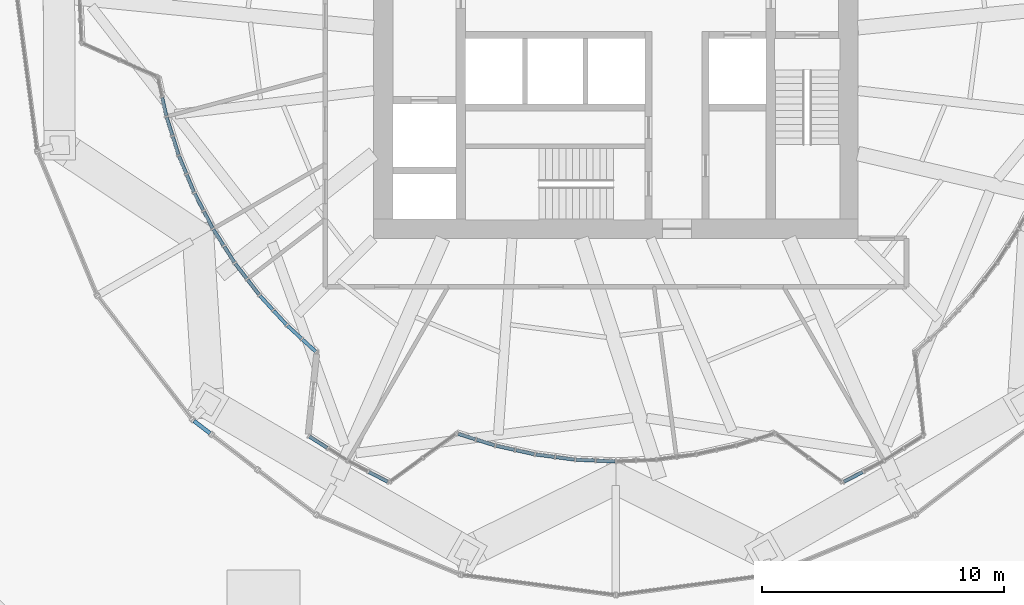
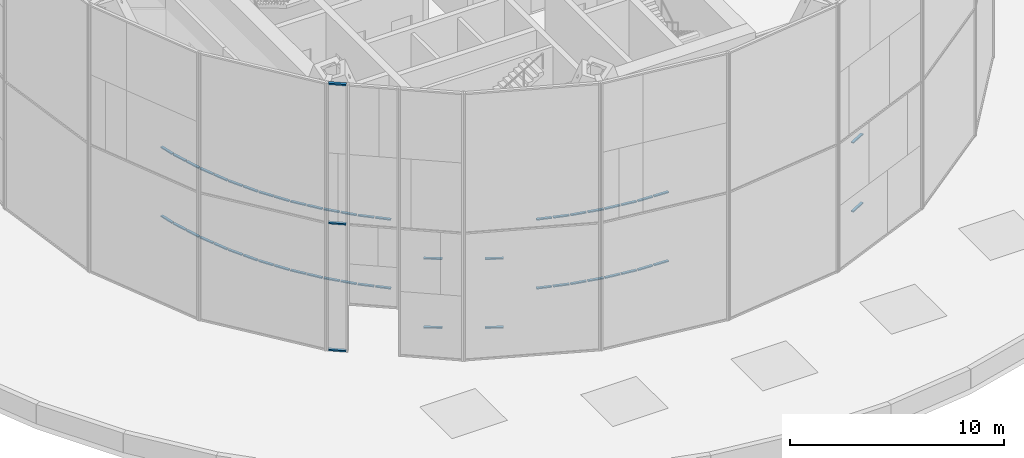
# One storey, part 11 of 27: 55 members, 16 elements without a shape of their own.
"""IFC4 building model written with IfcOpenShell, lengths in metres."""

from ifc_helpers import new_model, si_unit, direction, frame, origin, origin_2d, place, context, subcontext, project, spatial, rectangle, extrude, material, material_profile, profile_set, type_object, element, aggregate, save


model = new_model("IFC4")

# Units and contexts
model_context = context("Model", 3, precision=1e-05, world=origin(), true_north=direction((0.0, 1.0)))
body_context = subcontext(model_context, "Body", "Model", "MODEL_VIEW")
ifc_project = project(units=[si_unit("LENGTHUNIT", "METRE"), si_unit("AREAUNIT", "SQUARE_METRE"), si_unit("VOLUMEUNIT", "CUBIC_METRE"), si_unit("PLANEANGLEUNIT", "RADIAN"), si_unit("MASSUNIT", "GRAM", prefix="KILO")], contexts=[model_context])

# Site, building, storey
site_placement = place(None, origin())
site = spatial("IfcSite", under=ifc_project, at=site_placement, CompositionType="ELEMENT")
building_placement = place(site_placement, origin())
building = spatial("IfcBuilding", under=site, at=building_placement, Name="Golbaran Civic Tower", CompositionType="ELEMENT")
storey_placement = place(building_placement, frame((0.0, 0.0, 21.0)))
storey = spatial("IfcBuildingStorey", under=building, at=storey_placement, Name="L04", CompositionType="ELEMENT", Elevation=21.0)

# Curtain wall, members
ifc_material_1 = material(Name="Aluminium and glass", Category="aluminium")
curtain_wall_type_1 = type_object("IfcCurtainWallType", Name="INNER SKIN CURTAIN WALL", PredefinedType="NOTDEFINED", material=ifc_material_1)
curtain_wall_1_placement = place(storey_placement, origin())
curtain_wall_1 = element("IfcCurtainWall", 1, at=curtain_wall_1_placement, inside=storey, type_object=curtain_wall_type_1, Name="Inner skin L04 facet 39 CW1", ObjectType="INNER SKIN", PredefinedType="USERDEFINED")
ifc_material_2 = material(Name="Aluminium", Category="aluminium")
ifc_material_profile_1 = material_profile(ifc_material_2, rectangle(XDim=0.139892578125, YDim=0.06494140625, at=origin_2d()), Name="INNER SKIN CURTAIN WALL TRANSOM")
ifc_profile_set_1 = profile_set([ifc_material_profile_1], Name="Aluminium")
member_type_1 = type_object("IfcMemberType", Name="INNER SKIN CURTAIN WALL TRANSOM", PredefinedType="USERDEFINED", material=ifc_profile_set_1)
member_1_placement = place(storey_placement, frame((-18.734619140625, -4.186767578125, 0.032470703125), z_axis=(0.216361878864, -0.976313237324, 0.0), x_axis=(0.976313237324, 0.216361878864, 0.0)))
member_1 = element("IfcMember", 2, at=member_1_placement, type_object=member_type_1, Name="CW1 transom 2.1", ObjectType="TRANSOM", PredefinedType="USERDEFINED", context=body_context, shape_type="SweptSolid", body=[
    extrude(rectangle(XDim=0.139892578125, YDim=0.06494140625, at=origin_2d()), origin(), (0.0, 0.0, 1.0), 0.77294921875),
])
member_2_placement = place(storey_placement, frame((-18.734619140625, -4.186767578125, 3.967529296875), z_axis=(0.216361878864, -0.976313237324, 0.0), x_axis=(0.976313237324, 0.216361878864, 0.0)))
member_2 = element("IfcMember", 3, at=member_2_placement, type_object=member_type_1, Name="CW1 transom 2.2", ObjectType="TRANSOM", PredefinedType="USERDEFINED", context=body_context, shape_type="SweptSolid", body=[
    extrude(rectangle(XDim=0.139892578125, YDim=0.06494140625, at=origin_2d()), origin(), (0.0, 0.0, 1.0), 0.77294921875),
])
aggregate(curtain_wall_1, [member_1, member_2])

curtain_wall_2_placement = place(storey_placement, origin())
curtain_wall_2 = element("IfcCurtainWall", 4, at=curtain_wall_2_placement, inside=storey, type_object=curtain_wall_type_1, Name="Inner skin L04 facet 40 CW1", ObjectType="INNER SKIN", PredefinedType="USERDEFINED")
member_3_placement = place(storey_placement, frame((-18.550537109375, -5.004150390625, 0.032470703125), z_axis=(0.300647676105, -0.953735275038, 0.0), x_axis=(0.953735275038, 0.300647676105, 0.0)))
member_3 = element("IfcMember", 5, at=member_3_placement, type_object=member_type_1, Name="CW1 transom 1.1", ObjectType="TRANSOM", PredefinedType="USERDEFINED", context=body_context, shape_type="SweptSolid", body=[
    extrude(rectangle(XDim=0.139892578125, YDim=0.06494140625, at=origin_2d()), origin(), (0.0, 0.0, 1.0), 0.77294921875),
])
member_4_placement = place(storey_placement, frame((-18.550537109375, -5.004150390625, 3.967529296875), z_axis=(0.300647676105, -0.953735275038, 0.0), x_axis=(0.953735275038, 0.300647676105, 0.0)))
member_4 = element("IfcMember", 6, at=member_4_placement, type_object=member_type_1, Name="CW1 transom 1.2", ObjectType="TRANSOM", PredefinedType="USERDEFINED", context=body_context, shape_type="SweptSolid", body=[
    extrude(rectangle(XDim=0.139892578125, YDim=0.06494140625, at=origin_2d()), origin(), (0.0, 0.0, 1.0), 0.77294921875),
])
member_5_placement = place(storey_placement, frame((-18.29833984375, -5.803466796875, 0.032470703125), z_axis=(0.300557148234, -0.953763807578, 0.0), x_axis=(0.953763807578, 0.300557148234, 0.0)))
member_5 = element("IfcMember", 7, at=member_5_placement, type_object=member_type_1, Name="CW1 transom 2.1", ObjectType="TRANSOM", PredefinedType="USERDEFINED", context=body_context, shape_type="SweptSolid", body=[
    extrude(rectangle(XDim=0.139892578125, YDim=0.06494140625, at=origin_2d()), origin(), (0.0, 0.0, 1.0), 0.773193359375),
])
member_6_placement = place(storey_placement, frame((-18.29833984375, -5.803466796875, 3.967529296875), z_axis=(0.300557148234, -0.953763807578, 0.0), x_axis=(0.953763807578, 0.300557148234, 0.0)))
member_6 = element("IfcMember", 8, at=member_6_placement, type_object=member_type_1, Name="CW1 transom 2.2", ObjectType="TRANSOM", PredefinedType="USERDEFINED", context=body_context, shape_type="SweptSolid", body=[
    extrude(rectangle(XDim=0.139892578125, YDim=0.06494140625, at=origin_2d()), origin(), (0.0, 0.0, 1.0), 0.773193359375),
])
aggregate(curtain_wall_2, [member_3, member_4, member_5, member_6])

curtain_wall_3_placement = place(storey_placement, origin())
curtain_wall_3 = element("IfcCurtainWall", 9, at=curtain_wall_3_placement, inside=storey, type_object=curtain_wall_type_1, Name="Inner skin L04 facet 41 CW1", ObjectType="INNER SKIN", PredefinedType="USERDEFINED")
member_7_placement = place(storey_placement, frame((-18.043701171875, -6.60205078125, 0.032470703125), z_axis=(0.38279809258, -0.923832030359, 0.0), x_axis=(0.923832030359, 0.38279809258, 0.0)))
member_7 = element("IfcMember", 10, at=member_7_placement, type_object=member_type_1, Name="CW1 transom 1.1", ObjectType="TRANSOM", PredefinedType="USERDEFINED", context=body_context, shape_type="SweptSolid", body=[
    extrude(rectangle(XDim=0.139892578125, YDim=0.06494140625, at=origin_2d()), origin(), (0.0, 0.0, 1.0), 0.77294921875),
])
member_8_placement = place(storey_placement, frame((-18.043701171875, -6.60205078125, 3.967529296875), z_axis=(0.38279809258, -0.923832030359, 0.0), x_axis=(0.923832030359, 0.38279809258, 0.0)))
member_8 = element("IfcMember", 11, at=member_8_placement, type_object=member_type_1, Name="CW1 transom 1.2", ObjectType="TRANSOM", PredefinedType="USERDEFINED", context=body_context, shape_type="SweptSolid", body=[
    extrude(rectangle(XDim=0.139892578125, YDim=0.06494140625, at=origin_2d()), origin(), (0.0, 0.0, 1.0), 0.77294921875),
])
member_9_placement = place(storey_placement, frame((-17.722900390625, -7.376220703125, 0.032470703125), z_axis=(0.382416872552, -0.923989900155, 0.0), x_axis=(0.923989900155, 0.382416872552, 0.0)))
member_9 = element("IfcMember", 12, at=member_9_placement, type_object=member_type_1, Name="CW1 transom 2.1", ObjectType="TRANSOM", PredefinedType="USERDEFINED", context=body_context, shape_type="SweptSolid", body=[
    extrude(rectangle(XDim=0.139892578125, YDim=0.06494140625, at=origin_2d()), origin(), (0.0, 0.0, 1.0), 0.773193359375),
])
member_10_placement = place(storey_placement, frame((-17.722900390625, -7.376220703125, 3.967529296875), z_axis=(0.382416872552, -0.923989900155, 0.0), x_axis=(0.923989900155, 0.382416872552, 0.0)))
member_10 = element("IfcMember", 13, at=member_10_placement, type_object=member_type_1, Name="CW1 transom 2.2", ObjectType="TRANSOM", PredefinedType="USERDEFINED", context=body_context, shape_type="SweptSolid", body=[
    extrude(rectangle(XDim=0.139892578125, YDim=0.06494140625, at=origin_2d()), origin(), (0.0, 0.0, 1.0), 0.773193359375),
])
aggregate(curtain_wall_3, [member_7, member_8, member_9, member_10])

curtain_wall_4_placement = place(storey_placement, origin())
curtain_wall_4 = element("IfcCurtainWall", 14, at=curtain_wall_4_placement, inside=storey, type_object=curtain_wall_type_1, Name="Inner skin L04 facet 42 CW1", ObjectType="INNER SKIN", PredefinedType="USERDEFINED")
member_11_placement = place(storey_placement, frame((-17.399658203125, -8.1494140625, 0.032470703125), z_axis=(0.461680821469, -0.887046120045, 0.0), x_axis=(0.887046120045, 0.461680821469, 0.0)))
member_11 = element("IfcMember", 15, at=member_11_placement, type_object=member_type_1, Name="CW1 transom 1.1", ObjectType="TRANSOM", PredefinedType="USERDEFINED", context=body_context, shape_type="SweptSolid", body=[
    extrude(rectangle(XDim=0.139892578125, YDim=0.06494140625, at=origin_2d()), origin(), (0.0, 0.0, 1.0), 0.773193359375),
])
member_12_placement = place(storey_placement, frame((-17.399658203125, -8.1494140625, 3.967529296875), z_axis=(0.461680821469, -0.887046120045, 0.0), x_axis=(0.887046120045, 0.461680821469, 0.0)))
member_12 = element("IfcMember", 16, at=member_12_placement, type_object=member_type_1, Name="CW1 transom 1.2", ObjectType="TRANSOM", PredefinedType="USERDEFINED", context=body_context, shape_type="SweptSolid", body=[
    extrude(rectangle(XDim=0.139892578125, YDim=0.06494140625, at=origin_2d()), origin(), (0.0, 0.0, 1.0), 0.773193359375),
])
member_13_placement = place(storey_placement, frame((-17.0126953125, -8.892822265625, 0.032470703125), z_axis=(0.461680821469, -0.887046120045, 0.0), x_axis=(0.887046120045, 0.461680821469, 0.0)))
member_13 = element("IfcMember", 17, at=member_13_placement, type_object=member_type_1, Name="CW1 transom 2.1", ObjectType="TRANSOM", PredefinedType="USERDEFINED", context=body_context, shape_type="SweptSolid", body=[
    extrude(rectangle(XDim=0.139892578125, YDim=0.06494140625, at=origin_2d()), origin(), (0.0, 0.0, 1.0), 0.773193359375),
])
member_14_placement = place(storey_placement, frame((-17.0126953125, -8.892822265625, 3.967529296875), z_axis=(0.461680821469, -0.887046120045, 0.0), x_axis=(0.887046120045, 0.461680821469, 0.0)))
member_14 = element("IfcMember", 18, at=member_14_placement, type_object=member_type_1, Name="CW1 transom 2.2", ObjectType="TRANSOM", PredefinedType="USERDEFINED", context=body_context, shape_type="SweptSolid", body=[
    extrude(rectangle(XDim=0.139892578125, YDim=0.06494140625, at=origin_2d()), origin(), (0.0, 0.0, 1.0), 0.773193359375),
])
aggregate(curtain_wall_4, [member_11, member_12, member_13, member_14])

curtain_wall_5_placement = place(storey_placement, origin())
curtain_wall_5 = element("IfcCurtainWall", 19, at=curtain_wall_5_placement, inside=storey, type_object=curtain_wall_type_1, Name="Inner skin L04 facet 43 CW1", ObjectType="INNER SKIN", PredefinedType="USERDEFINED")
member_15_placement = place(storey_placement, frame((-16.623291015625, -9.635009765625, 0.032470703125), z_axis=(0.537529268504, -0.843245092189, 0.0), x_axis=(0.843245092189, 0.537529268504, 0.0)))
member_15 = element("IfcMember", 20, at=member_15_placement, type_object=member_type_1, Name="CW1 transom 1.1", ObjectType="TRANSOM", PredefinedType="USERDEFINED", context=body_context, shape_type="SweptSolid", body=[
    extrude(rectangle(XDim=0.139892578125, YDim=0.06494140625, at=origin_2d()), origin(), (0.0, 0.0, 1.0), 0.77294921875),
])
member_16_placement = place(storey_placement, frame((-16.623291015625, -9.635009765625, 3.967529296875), z_axis=(0.537529268504, -0.843245092189, 0.0), x_axis=(0.843245092189, 0.537529268504, 0.0)))
member_16 = element("IfcMember", 21, at=member_16_placement, type_object=member_type_1, Name="CW1 transom 1.2", ObjectType="TRANSOM", PredefinedType="USERDEFINED", context=body_context, shape_type="SweptSolid", body=[
    extrude(rectangle(XDim=0.139892578125, YDim=0.06494140625, at=origin_2d()), origin(), (0.0, 0.0, 1.0), 0.77294921875),
])
member_17_placement = place(storey_placement, frame((-16.1728515625, -10.341796875, 0.032470703125), z_axis=(0.537161531377, -0.843479394655, 0.0), x_axis=(0.843479394655, 0.537161531377, 0.0)))
member_17 = element("IfcMember", 22, at=member_17_placement, type_object=member_type_1, Name="CW1 transom 2.1", ObjectType="TRANSOM", PredefinedType="USERDEFINED", context=body_context, shape_type="SweptSolid", body=[
    extrude(rectangle(XDim=0.139892578125, YDim=0.06494140625, at=origin_2d()), origin(), (0.0, 0.0, 1.0), 0.773193359375),
])
member_18_placement = place(storey_placement, frame((-16.1728515625, -10.341796875, 3.967529296875), z_axis=(0.537161531377, -0.843479394655, 0.0), x_axis=(0.843479394655, 0.537161531377, 0.0)))
member_18 = element("IfcMember", 23, at=member_18_placement, type_object=member_type_1, Name="CW1 transom 2.2", ObjectType="TRANSOM", PredefinedType="USERDEFINED", context=body_context, shape_type="SweptSolid", body=[
    extrude(rectangle(XDim=0.139892578125, YDim=0.06494140625, at=origin_2d()), origin(), (0.0, 0.0, 1.0), 0.773193359375),
])
aggregate(curtain_wall_5, [member_15, member_16, member_17, member_18])

curtain_wall_6_placement = place(storey_placement, origin())
curtain_wall_6 = element("IfcCurtainWall", 24, at=curtain_wall_6_placement, inside=storey, type_object=curtain_wall_type_1, Name="Inner skin L04 facet 44 CW1", ObjectType="INNER SKIN", PredefinedType="USERDEFINED")
member_19_placement = place(storey_placement, frame((-15.72021484375, -11.047119140625, 0.032470703125), z_axis=(0.608855759976, -0.793280948683, 0.0), x_axis=(0.793280948683, 0.608855759976, 0.0)))
member_19 = element("IfcMember", 25, at=member_19_placement, type_object=member_type_1, Name="CW1 transom 1.1", ObjectType="TRANSOM", PredefinedType="USERDEFINED", context=body_context, shape_type="SweptSolid", body=[
    extrude(rectangle(XDim=0.139892578125, YDim=0.06494140625, at=origin_2d()), origin(), (0.0, 0.0, 1.0), 0.773193359375),
])
member_20_placement = place(storey_placement, frame((-15.72021484375, -11.047119140625, 3.967529296875), z_axis=(0.608855759976, -0.793280948683, 0.0), x_axis=(0.793280948683, 0.608855759976, 0.0)))
member_20 = element("IfcMember", 26, at=member_20_placement, type_object=member_type_1, Name="CW1 transom 1.2", ObjectType="TRANSOM", PredefinedType="USERDEFINED", context=body_context, shape_type="SweptSolid", body=[
    extrude(rectangle(XDim=0.139892578125, YDim=0.06494140625, at=origin_2d()), origin(), (0.0, 0.0, 1.0), 0.773193359375),
])
member_21_placement = place(storey_placement, frame((-15.2099609375, -11.7119140625, 0.032470703125), z_axis=(0.608703259192, -0.793397972173, 0.0), x_axis=(0.793397972173, 0.608703259192, 0.0)))
member_21 = element("IfcMember", 27, at=member_21_placement, type_object=member_type_1, Name="CW1 transom 2.1", ObjectType="TRANSOM", PredefinedType="USERDEFINED", context=body_context, shape_type="SweptSolid", body=[
    extrude(rectangle(XDim=0.139892578125, YDim=0.06494140625, at=origin_2d()), origin(), (0.0, 0.0, 1.0), 0.773193359375),
])
member_22_placement = place(storey_placement, frame((-15.2099609375, -11.7119140625, 3.967529296875), z_axis=(0.608703259192, -0.793397972173, 0.0), x_axis=(0.793397972173, 0.608703259192, 0.0)))
member_22 = element("IfcMember", 28, at=member_22_placement, type_object=member_type_1, Name="CW1 transom 2.2", ObjectType="TRANSOM", PredefinedType="USERDEFINED", context=body_context, shape_type="SweptSolid", body=[
    extrude(rectangle(XDim=0.139892578125, YDim=0.06494140625, at=origin_2d()), origin(), (0.0, 0.0, 1.0), 0.773193359375),
])
aggregate(curtain_wall_6, [member_19, member_20, member_21, member_22])

curtain_wall_7_placement = place(storey_placement, origin())
curtain_wall_7 = element("IfcCurtainWall", 29, at=curtain_wall_7_placement, inside=storey, type_object=curtain_wall_type_1, Name="Inner skin L04 facet 45 CW1", ObjectType="INNER SKIN", PredefinedType="USERDEFINED")
member_23_placement = place(storey_placement, frame((-14.697509765625, -12.375244140625, 0.032470703125), z_axis=(0.67563880356, -0.737232803885, 0.0), x_axis=(0.737232803885, 0.67563880356, 0.0)))
member_23 = element("IfcMember", 30, at=member_23_placement, type_object=member_type_1, Name="CW1 transom 1.1", ObjectType="TRANSOM", PredefinedType="USERDEFINED", context=body_context, shape_type="SweptSolid", body=[
    extrude(rectangle(XDim=0.139892578125, YDim=0.06494140625, at=origin_2d()), origin(), (0.0, 0.0, 1.0), 0.77294921875),
])
member_24_placement = place(storey_placement, frame((-14.697509765625, -12.375244140625, 3.967529296875), z_axis=(0.67563880356, -0.737232803885, 0.0), x_axis=(0.737232803885, 0.67563880356, 0.0)))
member_24 = element("IfcMember", 31, at=member_24_placement, type_object=member_type_1, Name="CW1 transom 1.2", ObjectType="TRANSOM", PredefinedType="USERDEFINED", context=body_context, shape_type="SweptSolid", body=[
    extrude(rectangle(XDim=0.139892578125, YDim=0.06494140625, at=origin_2d()), origin(), (0.0, 0.0, 1.0), 0.77294921875),
])
member_25_placement = place(storey_placement, frame((-14.13134765625, -12.9931640625, 0.032470703125), z_axis=(0.67563880356, -0.737232803885, 0.0), x_axis=(0.737232803885, 0.67563880356, 0.0)))
member_25 = element("IfcMember", 32, at=member_25_placement, type_object=member_type_1, Name="CW1 transom 2.1", ObjectType="TRANSOM", PredefinedType="USERDEFINED", context=body_context, shape_type="SweptSolid", body=[
    extrude(rectangle(XDim=0.139892578125, YDim=0.06494140625, at=origin_2d()), origin(), (0.0, 0.0, 1.0), 0.77294921875),
])
member_26_placement = place(storey_placement, frame((-14.13134765625, -12.9931640625, 3.967529296875), z_axis=(0.67563880356, -0.737232803885, 0.0), x_axis=(0.737232803885, 0.67563880356, 0.0)))
member_26 = element("IfcMember", 33, at=member_26_placement, type_object=member_type_1, Name="CW1 transom 2.2", ObjectType="TRANSOM", PredefinedType="USERDEFINED", context=body_context, shape_type="SweptSolid", body=[
    extrude(rectangle(XDim=0.139892578125, YDim=0.06494140625, at=origin_2d()), origin(), (0.0, 0.0, 1.0), 0.77294921875),
])
aggregate(curtain_wall_7, [member_23, member_24, member_25, member_26])

curtain_wall_8_placement = place(storey_placement, origin())
curtain_wall_8 = element("IfcCurtainWall", 34, at=curtain_wall_8_placement, inside=storey, type_object=curtain_wall_type_1, Name="Inner skin L04 facet 46 CW1", ObjectType="INNER SKIN", PredefinedType="USERDEFINED")
member_27_placement = place(storey_placement, frame((-13.56298828125, -13.609130859375, 0.032470703125), z_axis=(0.737232803885, -0.67563880356, 0.0), x_axis=(0.67563880356, 0.737232803885, 0.0)))
member_27 = element("IfcMember", 35, at=member_27_placement, type_object=member_type_1, Name="CW1 transom 1.1", ObjectType="TRANSOM", PredefinedType="USERDEFINED", context=body_context, shape_type="SweptSolid", body=[
    extrude(rectangle(XDim=0.139892578125, YDim=0.06494140625, at=origin_2d()), origin(), (0.0, 0.0, 1.0), 0.77294921875),
])
member_28_placement = place(storey_placement, frame((-13.56298828125, -13.609130859375, 3.967529296875), z_axis=(0.737232803885, -0.67563880356, 0.0), x_axis=(0.67563880356, 0.737232803885, 0.0)))
member_28 = element("IfcMember", 36, at=member_28_placement, type_object=member_type_1, Name="CW1 transom 1.2", ObjectType="TRANSOM", PredefinedType="USERDEFINED", context=body_context, shape_type="SweptSolid", body=[
    extrude(rectangle(XDim=0.139892578125, YDim=0.06494140625, at=origin_2d()), origin(), (0.0, 0.0, 1.0), 0.77294921875),
])
member_29_placement = place(storey_placement, frame((-12.945068359375, -14.17529296875, 0.032470703125), z_axis=(0.737263623889, -0.675605172338, 0.0), x_axis=(0.675605172338, 0.737263623889, 0.0)))
member_29 = element("IfcMember", 37, at=member_29_placement, type_object=member_type_1, Name="CW1 transom 2.1", ObjectType="TRANSOM", PredefinedType="USERDEFINED", context=body_context, shape_type="SweptSolid", body=[
    extrude(rectangle(XDim=0.139892578125, YDim=0.06494140625, at=origin_2d()), origin(), (0.0, 0.0, 1.0), 0.740478515625),
])
member_30_placement = place(storey_placement, frame((-12.945068359375, -14.17529296875, 3.967529296875), z_axis=(0.737263623889, -0.675605172338, 0.0), x_axis=(0.675605172338, 0.737263623889, 0.0)))
member_30 = element("IfcMember", 38, at=member_30_placement, type_object=member_type_1, Name="CW1 transom 2.2", ObjectType="TRANSOM", PredefinedType="USERDEFINED", context=body_context, shape_type="SweptSolid", body=[
    extrude(rectangle(XDim=0.139892578125, YDim=0.06494140625, at=origin_2d()), origin(), (0.0, 0.0, 1.0), 0.740478515625),
])
aggregate(curtain_wall_8, [member_27, member_28, member_29, member_30])

curtain_wall_9_placement = place(storey_placement, origin())
curtain_wall_9 = element("IfcCurtainWall", 39, at=curtain_wall_9_placement, inside=storey, type_object=curtain_wall_type_1, Name="Inner skin L04 facet 48 CW1", ObjectType="INNER SKIN", PredefinedType="USERDEFINED")
member_31_placement = place(storey_placement, frame((-12.655517578125, -18.187255859375, 0.032470703125), z_axis=(0.843325869914, -0.53740252803, 0.0), x_axis=(0.53740252803, 0.843325869914, 0.0)))
member_31 = element("IfcMember", 40, at=member_31_placement, type_object=member_type_1, Name="CW1 transom 1.1", ObjectType="TRANSOM", PredefinedType="USERDEFINED", context=body_context, shape_type="SweptSolid", body=[
    extrude(rectangle(XDim=0.139892578125, YDim=0.06494140625, at=origin_2d()), origin(), (0.0, 0.0, 1.0), 0.869140625),
])
member_32_placement = place(storey_placement, frame((-12.655517578125, -18.187255859375, 3.967529296875), z_axis=(0.843325869914, -0.53740252803, 0.0), x_axis=(0.53740252803, 0.843325869914, 0.0)))
member_32 = element("IfcMember", 41, at=member_32_placement, type_object=member_type_1, Name="CW1 transom 1.2", ObjectType="TRANSOM", PredefinedType="USERDEFINED", context=body_context, shape_type="SweptSolid", body=[
    extrude(rectangle(XDim=0.139892578125, YDim=0.06494140625, at=origin_2d()), origin(), (0.0, 0.0, 1.0), 0.869140625),
])
aggregate(curtain_wall_9, [member_31, member_32])

curtain_wall_10_placement = place(storey_placement, origin())
curtain_wall_10 = element("IfcCurtainWall", 42, at=curtain_wall_10_placement, inside=storey, type_object=curtain_wall_type_1, Name="Inner skin L04 facet 49 CW1", ObjectType="INNER SKIN", PredefinedType="USERDEFINED")
member_33_placement = place(storey_placement, frame((-10.19384765625, -19.65234375, 0.032470703125), z_axis=(0.887005166894, -0.461759497902, 0.0), x_axis=(0.461759497902, 0.887005166894, 0.0)))
member_33 = element("IfcMember", 43, at=member_33_placement, type_object=member_type_1, Name="CW1 transom 2.1", ObjectType="TRANSOM", PredefinedType="USERDEFINED", context=body_context, shape_type="SweptSolid", body=[
    extrude(rectangle(XDim=0.139892578125, YDim=0.06494140625, at=origin_2d()), origin(), (0.0, 0.0, 1.0), 0.869140625),
])
member_34_placement = place(storey_placement, frame((-10.19384765625, -19.65234375, 3.967529296875), z_axis=(0.887005166894, -0.461759497902, 0.0), x_axis=(0.461759497902, 0.887005166894, 0.0)))
member_34 = element("IfcMember", 44, at=member_34_placement, type_object=member_type_1, Name="CW1 transom 2.2", ObjectType="TRANSOM", PredefinedType="USERDEFINED", context=body_context, shape_type="SweptSolid", body=[
    extrude(rectangle(XDim=0.139892578125, YDim=0.06494140625, at=origin_2d()), origin(), (0.0, 0.0, 1.0), 0.869140625),
])
aggregate(curtain_wall_10, [member_33, member_34])

curtain_wall_11_placement = place(storey_placement, origin())
curtain_wall_11 = element("IfcCurtainWall", 45, at=curtain_wall_11_placement, inside=storey, type_object=curtain_wall_type_1, Name="Inner skin L04 facet 51 CW1", ObjectType="INNER SKIN", PredefinedType="USERDEFINED")
member_35_placement = place(storey_placement, frame((-6.510009765625, -18.07568359375, 0.032470703125), z_axis=(0.953761806135, -0.300563499376, 0.0), x_axis=(0.300563499376, 0.953761806135, 0.0)))
member_35 = element("IfcMember", 46, at=member_35_placement, type_object=member_type_1, Name="CW1 transom 1.1", ObjectType="TRANSOM", PredefinedType="USERDEFINED", context=body_context, shape_type="SweptSolid", body=[
    extrude(rectangle(XDim=0.139892578125, YDim=0.06494140625, at=origin_2d()), origin(), (0.0, 0.0, 1.0), 0.74072265625),
])
member_36_placement = place(storey_placement, frame((-6.510009765625, -18.07568359375, 3.967529296875), z_axis=(0.953761806135, -0.300563499376, 0.0), x_axis=(0.300563499376, 0.953761806135, 0.0)))
member_36 = element("IfcMember", 47, at=member_36_placement, type_object=member_type_1, Name="CW1 transom 1.2", ObjectType="TRANSOM", PredefinedType="USERDEFINED", context=body_context, shape_type="SweptSolid", body=[
    extrude(rectangle(XDim=0.139892578125, YDim=0.06494140625, at=origin_2d()), origin(), (0.0, 0.0, 1.0), 0.74072265625),
])
member_37_placement = place(storey_placement, frame((-5.741455078125, -18.318115234375, 0.032470703125), z_axis=(0.953735275038, -0.300647676105, 0.0), x_axis=(0.300647676105, 0.953735275038, 0.0)))
member_37 = element("IfcMember", 48, at=member_37_placement, type_object=member_type_1, Name="CW1 transom 2.1", ObjectType="TRANSOM", PredefinedType="USERDEFINED", context=body_context, shape_type="SweptSolid", body=[
    extrude(rectangle(XDim=0.139892578125, YDim=0.06494140625, at=origin_2d()), origin(), (0.0, 0.0, 1.0), 0.77294921875),
])
member_38_placement = place(storey_placement, frame((-5.741455078125, -18.318115234375, 3.967529296875), z_axis=(0.953735275038, -0.300647676105, 0.0), x_axis=(0.300647676105, 0.953735275038, 0.0)))
member_38 = element("IfcMember", 49, at=member_38_placement, type_object=member_type_1, Name="CW1 transom 2.2", ObjectType="TRANSOM", PredefinedType="USERDEFINED", context=body_context, shape_type="SweptSolid", body=[
    extrude(rectangle(XDim=0.139892578125, YDim=0.06494140625, at=origin_2d()), origin(), (0.0, 0.0, 1.0), 0.77294921875),
])
aggregate(curtain_wall_11, [member_35, member_36, member_37, member_38])

curtain_wall_12_placement = place(storey_placement, origin())
curtain_wall_12 = element("IfcCurtainWall", 50, at=curtain_wall_12_placement, inside=storey, type_object=curtain_wall_type_1, Name="Inner skin L04 facet 52 CW1", ObjectType="INNER SKIN", PredefinedType="USERDEFINED")
member_39_placement = place(storey_placement, frame((-4.94140625, -18.5673828125, 0.032470703125), z_axis=(0.976313237324, -0.216361878864, 0.0), x_axis=(0.216361878864, 0.976313237324, 0.0)))
member_39 = element("IfcMember", 51, at=member_39_placement, type_object=member_type_1, Name="CW1 transom 1.1", ObjectType="TRANSOM", PredefinedType="USERDEFINED", context=body_context, shape_type="SweptSolid", body=[
    extrude(rectangle(XDim=0.139892578125, YDim=0.06494140625, at=origin_2d()), origin(), (0.0, 0.0, 1.0), 0.77294921875),
])
member_40_placement = place(storey_placement, frame((-4.94140625, -18.5673828125, 3.967529296875), z_axis=(0.976313237324, -0.216361878864, 0.0), x_axis=(0.216361878864, 0.976313237324, 0.0)))
member_40 = element("IfcMember", 52, at=member_40_placement, type_object=member_type_1, Name="CW1 transom 1.2", ObjectType="TRANSOM", PredefinedType="USERDEFINED", context=body_context, shape_type="SweptSolid", body=[
    extrude(rectangle(XDim=0.139892578125, YDim=0.06494140625, at=origin_2d()), origin(), (0.0, 0.0, 1.0), 0.77294921875),
])
member_41_placement = place(storey_placement, frame((-4.123291015625, -18.748779296875, 0.032470703125), z_axis=(0.97632801652, -0.216295178304, 0.0), x_axis=(0.216295178304, 0.97632801652, 0.0)))
member_41 = element("IfcMember", 53, at=member_41_placement, type_object=member_type_1, Name="CW1 transom 2.1", ObjectType="TRANSOM", PredefinedType="USERDEFINED", context=body_context, shape_type="SweptSolid", body=[
    extrude(rectangle(XDim=0.139892578125, YDim=0.06494140625, at=origin_2d()), origin(), (0.0, 0.0, 1.0), 0.773193359375),
])
member_42_placement = place(storey_placement, frame((-4.123291015625, -18.748779296875, 3.967529296875), z_axis=(0.97632801652, -0.216295178304, 0.0), x_axis=(0.216295178304, 0.97632801652, 0.0)))
member_42 = element("IfcMember", 54, at=member_42_placement, type_object=member_type_1, Name="CW1 transom 2.2", ObjectType="TRANSOM", PredefinedType="USERDEFINED", context=body_context, shape_type="SweptSolid", body=[
    extrude(rectangle(XDim=0.139892578125, YDim=0.06494140625, at=origin_2d()), origin(), (0.0, 0.0, 1.0), 0.773193359375),
])
aggregate(curtain_wall_12, [member_39, member_40, member_41, member_42])

curtain_wall_13_placement = place(storey_placement, origin())
curtain_wall_13 = element("IfcCurtainWall", 55, at=curtain_wall_13_placement, inside=storey, type_object=curtain_wall_type_1, Name="Inner skin L04 facet 53 CW1", ObjectType="INNER SKIN", PredefinedType="USERDEFINED")
member_43_placement = place(storey_placement, frame((-3.304443359375, -18.92724609375, 0.032470703125), z_axis=(0.99141987157, -0.130715868417, 0.0), x_axis=(0.130715868417, 0.99141987157, 0.0)))
member_43 = element("IfcMember", 56, at=member_43_placement, type_object=member_type_1, Name="CW1 transom 1.1", ObjectType="TRANSOM", PredefinedType="USERDEFINED", context=body_context, shape_type="SweptSolid", body=[
    extrude(rectangle(XDim=0.139892578125, YDim=0.06494140625, at=origin_2d()), origin(), (0.0, 0.0, 1.0), 0.773193359375),
])
member_44_placement = place(storey_placement, frame((-3.304443359375, -18.92724609375, 3.967529296875), z_axis=(0.99141987157, -0.130715868417, 0.0), x_axis=(0.130715868417, 0.99141987157, 0.0)))
member_44 = element("IfcMember", 57, at=member_44_placement, type_object=member_type_1, Name="CW1 transom 1.2", ObjectType="TRANSOM", PredefinedType="USERDEFINED", context=body_context, shape_type="SweptSolid", body=[
    extrude(rectangle(XDim=0.139892578125, YDim=0.06494140625, at=origin_2d()), origin(), (0.0, 0.0, 1.0), 0.773193359375),
])
member_45_placement = place(storey_placement, frame((-2.473388671875, -19.03662109375, 0.032470703125), z_axis=(0.991414474121, -0.130756799072, 0.0), x_axis=(0.130756799072, 0.991414474121, 0.0)))
member_45 = element("IfcMember", 58, at=member_45_placement, type_object=member_type_1, Name="CW1 transom 2.1", ObjectType="TRANSOM", PredefinedType="USERDEFINED", context=body_context, shape_type="SweptSolid", body=[
    extrude(rectangle(XDim=0.139892578125, YDim=0.06494140625, at=origin_2d()), origin(), (0.0, 0.0, 1.0), 0.77294921875),
])
member_46_placement = place(storey_placement, frame((-2.473388671875, -19.03662109375, 3.967529296875), z_axis=(0.991414474121, -0.130756799072, 0.0), x_axis=(0.130756799072, 0.991414474121, 0.0)))
member_46 = element("IfcMember", 59, at=member_46_placement, type_object=member_type_1, Name="CW1 transom 2.2", ObjectType="TRANSOM", PredefinedType="USERDEFINED", context=body_context, shape_type="SweptSolid", body=[
    extrude(rectangle(XDim=0.139892578125, YDim=0.06494140625, at=origin_2d()), origin(), (0.0, 0.0, 1.0), 0.77294921875),
])
aggregate(curtain_wall_13, [member_43, member_44, member_45, member_46])

curtain_wall_14_placement = place(storey_placement, origin())
curtain_wall_14 = element("IfcCurtainWall", 60, at=curtain_wall_14_placement, inside=storey, type_object=curtain_wall_type_1, Name="Inner skin L04 facet 54 CW1", ObjectType="INNER SKIN", PredefinedType="USERDEFINED")
member_47_placement = place(storey_placement, frame((-1.642333984375, -19.143310546875, 0.032470703125), z_axis=(0.999050191308, -0.043574249811, 0.0), x_axis=(0.043574249811, 0.999050191308, 0.0)))
member_47 = element("IfcMember", 61, at=member_47_placement, type_object=member_type_1, Name="CW1 transom 1.1", ObjectType="TRANSOM", PredefinedType="USERDEFINED", context=body_context, shape_type="SweptSolid", body=[
    extrude(rectangle(XDim=0.139892578125, YDim=0.06494140625, at=origin_2d()), origin(), (0.0, 0.0, 1.0), 0.773193359375),
])
member_48_placement = place(storey_placement, frame((-1.642333984375, -19.143310546875, 3.967529296875), z_axis=(0.999050191308, -0.043574249811, 0.0), x_axis=(0.043574249811, 0.999050191308, 0.0)))
member_48 = element("IfcMember", 62, at=member_48_placement, type_object=member_type_1, Name="CW1 transom 1.2", ObjectType="TRANSOM", PredefinedType="USERDEFINED", context=body_context, shape_type="SweptSolid", body=[
    extrude(rectangle(XDim=0.139892578125, YDim=0.06494140625, at=origin_2d()), origin(), (0.0, 0.0, 1.0), 0.773193359375),
])
member_49_placement = place(storey_placement, frame((-0.804931640625, -19.179931640625, 0.032470703125), z_axis=(0.999050191308, -0.043574249811, 0.0), x_axis=(0.043574249811, 0.999050191308, 0.0)))
member_49 = element("IfcMember", 63, at=member_49_placement, type_object=member_type_1, Name="CW1 transom 2.1", ObjectType="TRANSOM", PredefinedType="USERDEFINED", context=body_context, shape_type="SweptSolid", body=[
    extrude(rectangle(XDim=0.139892578125, YDim=0.06494140625, at=origin_2d()), origin(), (0.0, 0.0, 1.0), 0.773193359375),
])
member_50_placement = place(storey_placement, frame((-0.804931640625, -19.179931640625, 3.967529296875), z_axis=(0.999050191308, -0.043574249811, 0.0), x_axis=(0.043574249811, 0.999050191308, 0.0)))
member_50 = element("IfcMember", 64, at=member_50_placement, type_object=member_type_1, Name="CW1 transom 2.2", ObjectType="TRANSOM", PredefinedType="USERDEFINED", context=body_context, shape_type="SweptSolid", body=[
    extrude(rectangle(XDim=0.139892578125, YDim=0.06494140625, at=origin_2d()), origin(), (0.0, 0.0, 1.0), 0.773193359375),
])
aggregate(curtain_wall_14, [member_47, member_48, member_49, member_50])

curtain_wall_15_placement = place(storey_placement, origin())
curtain_wall_15 = element("IfcCurtainWall", 65, at=curtain_wall_15_placement, inside=storey, type_object=curtain_wall_type_1, Name="Inner skin L04 facet 60 CW1", ObjectType="INNER SKIN", PredefinedType="USERDEFINED")
member_51_placement = place(storey_placement, frame((9.4228515625, -20.0537109375, 0.032470703125), z_axis=(0.887005166894, 0.461759497902, 0.0), x_axis=(-0.461759497902, 0.887005166894, 0.0)))
member_51 = element("IfcMember", 66, at=member_51_placement, type_object=member_type_1, Name="CW1 transom 1.1", ObjectType="TRANSOM", PredefinedType="USERDEFINED", context=body_context, shape_type="SweptSolid", body=[
    extrude(rectangle(XDim=0.139892578125, YDim=0.06494140625, at=origin_2d()), origin(), (0.0, 0.0, 1.0), 0.869140625),
])
member_52_placement = place(storey_placement, frame((9.4228515625, -20.0537109375, 3.967529296875), z_axis=(0.887005166894, 0.461759497902, 0.0), x_axis=(-0.461759497902, 0.887005166894, 0.0)))
member_52 = element("IfcMember", 67, at=member_52_placement, type_object=member_type_1, Name="CW1 transom 1.2", ObjectType="TRANSOM", PredefinedType="USERDEFINED", context=body_context, shape_type="SweptSolid", body=[
    extrude(rectangle(XDim=0.139892578125, YDim=0.06494140625, at=origin_2d()), origin(), (0.0, 0.0, 1.0), 0.869140625),
])
aggregate(curtain_wall_15, [member_51, member_52])

curtain_wall_type_2 = type_object("IfcCurtainWallType", Name="OUTER SKIN TERRACOTTA SCREEN", PredefinedType="NOTDEFINED", material=ifc_material_1)
curtain_wall_16_placement = place(storey_placement, origin())
curtain_wall_16 = element("IfcCurtainWall", 68, at=curtain_wall_16_placement, inside=storey, type_object=curtain_wall_type_2, Name="Outer skin L04 facet 16 left of the opening CW3", ObjectType="OUTER SKIN", PredefinedType="USERDEFINED")
ifc_material_profile_2 = material_profile(ifc_material_2, rectangle(XDim=0.159912109375, YDim=0.080078125, at=origin_2d()), Name="OUTER SKIN TERRACOTTA SCREEN TRANSOM")
ifc_profile_set_2 = profile_set([ifc_material_profile_2], Name="Aluminium")
member_type_2 = type_object("IfcMemberType", Name="OUTER SKIN TERRACOTTA SCREEN TRANSOM", PredefinedType="USERDEFINED", material=ifc_profile_set_2)
member_53_placement = place(storey_placement, frame((-17.4267578125, -17.5390625, 0.0400390625), z_axis=(0.793358303575, -0.608754960677, 0.0), x_axis=(0.608754960677, 0.793358303575, 0.0)))
member_53 = element("IfcMember", 69, at=member_53_placement, type_object=member_type_2, Name="CW3 transom 1.1", ObjectType="TRANSOM", PredefinedType="USERDEFINED", context=body_context, shape_type="SweptSolid", body=[
    extrude(rectangle(XDim=0.159912109375, YDim=0.080078125, at=origin_2d()), origin(), (0.0, 0.0, 1.0), 0.83984375),
])
member_54_placement = place(storey_placement, frame((-17.4267578125, -17.5390625, 7.2900390625), z_axis=(0.793358303575, -0.608754960677, 0.0), x_axis=(0.608754960677, 0.793358303575, 0.0)))
member_54 = element("IfcMember", 70, at=member_54_placement, type_object=member_type_2, Name="CW3 transom 1.2", ObjectType="TRANSOM", PredefinedType="USERDEFINED", context=body_context, shape_type="SweptSolid", body=[
    extrude(rectangle(XDim=0.159912109375, YDim=0.080078125, at=origin_2d()), origin(), (0.0, 0.0, 1.0), 0.83984375),
])
member_55_placement = place(storey_placement, frame((-17.4267578125, -17.5390625, 15.25), z_axis=(0.793358303575, -0.608754960677, 0.0), x_axis=(0.608754960677, 0.793358303575, 0.0)))
member_55 = element("IfcMember", 71, at=member_55_placement, type_object=member_type_2, Name="CW3 transom 1.3", ObjectType="TRANSOM", PredefinedType="USERDEFINED", context=body_context, shape_type="SweptSolid", body=[
    extrude(rectangle(XDim=0.159912109375, YDim=0.080078125, at=origin_2d()), origin(), (0.0, 0.0, 1.0), 0.83984375),
])
aggregate(curtain_wall_16, [member_53, member_54, member_55])

save(model, "model.ifc")
